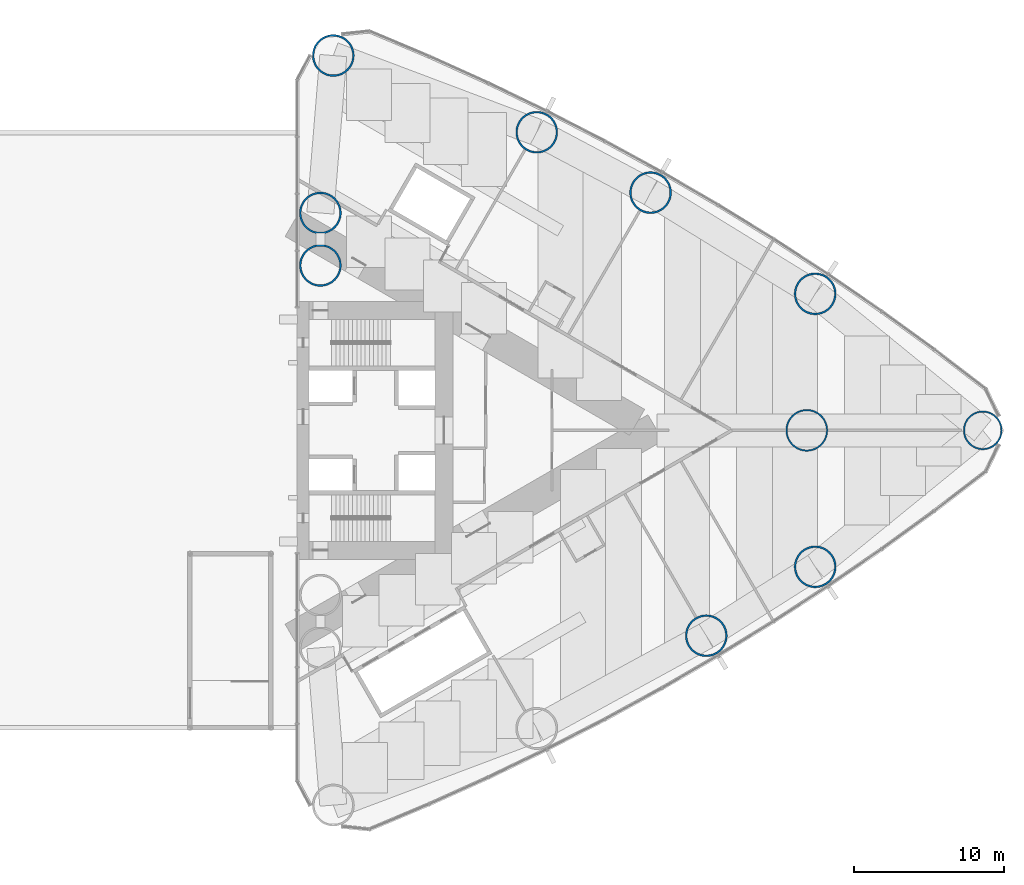
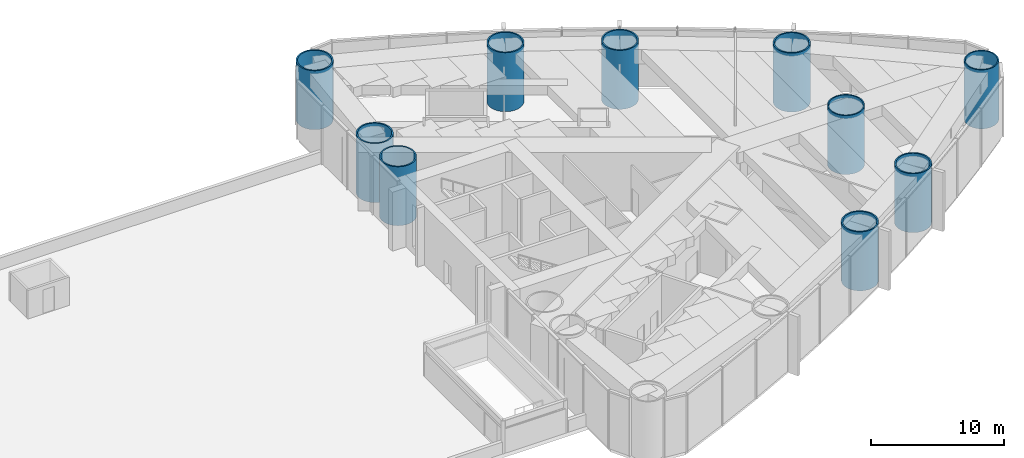
# One storey, part 5 of 23: 10 columns.
"""IFC4 building model written with IfcOpenShell, lengths in metres."""

from ifc_helpers import new_model, si_unit, direction, frame, origin, origin_2d, place, context, subcontext, project, spatial, hollow_circle, extrude, material, material_profile, profile_set, type_object, element, save


model = new_model("IFC4")

# Units and contexts
model_context = context("Model", 3, precision=1e-05, world=origin(), true_north=direction((0.0, 1.0)))
body_context = subcontext(model_context, "Body", "Model", "MODEL_VIEW")
ifc_project = project(units=[si_unit("LENGTHUNIT", "METRE"), si_unit("AREAUNIT", "SQUARE_METRE"), si_unit("VOLUMEUNIT", "CUBIC_METRE"), si_unit("PLANEANGLEUNIT", "RADIAN"), si_unit("MASSUNIT", "GRAM", prefix="KILO")], contexts=[model_context])

# Site, building, storey
site_placement = place(None, origin())
site = spatial("IfcSite", under=ifc_project, at=site_placement, CompositionType="ELEMENT")
building_placement = place(site_placement, origin())
building = spatial("IfcBuilding", under=site, at=building_placement, Name="Lancet Gate Hotel", CompositionType="ELEMENT")
storey_placement = place(building_placement, frame((0.0, 0.0, 12.60009765625)))
storey = spatial("IfcBuildingStorey", under=building, at=storey_placement, Name="L02", CompositionType="ELEMENT", Elevation=12.60009765625)

# Columns
ifc_material_1 = material(Name="Composite filled tube, grade 460 plate, grade 80/95 fill", Category="composite")
ifc_material_profile_1 = material_profile(ifc_material_1, hollow_circle(Radius=1.39990234375, WallThickness=0.10009765625, at=origin_2d()), Name="CHS 2800x100")
ifc_profile_set_1 = profile_set([ifc_material_profile_1], Name="Composite filled tube, grade 460 plate, grade 80/95 fill")
column_type_1 = type_object("IfcColumnType", Name="Apex column CFT CHS 2800x100", PredefinedType="COLUMN", material=ifc_profile_set_1)
column_1_placement = place(storey_placement, frame((61.5, 0.0, 0.0), z_axis=(0.0, 0.0, 1.0), x_axis=(1.0, 0.0, 0.0)))
element("IfcColumn", 1, at=column_1_placement, inside=storey, type_object=column_type_1, Name="T2 column AX L02", PredefinedType="COLUMN", context=body_context, shape_type="SweptSolid", body=[
    extrude(hollow_circle(Radius=1.39990234375, WallThickness=0.10009765625, at=origin_2d()), origin(), (0.0, 0.0, 1.0), 5.39990234375),
])
ifc_material_2 = material(Name="Composite filled tube, grade 460 plate, grade 80/95 fill", Category="composite")
ifc_material_profile_2 = material_profile(ifc_material_2, hollow_circle(Radius=1.300048828125, WallThickness=0.10009765625, at=origin_2d()), Name="CHS 2600x100")
ifc_profile_set_2 = profile_set([ifc_material_profile_2], Name="Composite filled tube, grade 460 plate, grade 80/95 fill")
column_type_2 = type_object("IfcColumnType", Name="Apex corner column CFT CHS 2600x100", PredefinedType="COLUMN", material=ifc_profile_set_2)
column_2_placement = place(storey_placement, frame((73.2392578125, 0.0, 0.0), z_axis=(0.0, 0.0, 1.0), x_axis=(1.0, 0.0, 0.0)))
element("IfcColumn", 2, at=column_2_placement, inside=storey, type_object=column_type_2, Name="T2 column CA L02", PredefinedType="COLUMN", context=body_context, shape_type="SweptSolid", body=[
    extrude(hollow_circle(Radius=1.300048828125, WallThickness=0.10009765625, at=origin_2d()), origin(), (0.0, 0.0, 1.0), 5.39990234375),
])
ifc_material_3 = material(Name="Composite filled tube, grade 460 plate, grade 80/95 fill", Category="composite")
ifc_material_profile_3 = material_profile(ifc_material_3, hollow_circle(Radius=1.39990234375, WallThickness=0.1201171875, at=origin_2d()), Name="CHS 2800x120")
ifc_profile_set_3 = profile_set([ifc_material_profile_3], Name="Composite filled tube, grade 460 plate, grade 80/95 fill")
column_type_3 = type_object("IfcColumnType", Name="Perimeter column CFT CHS 2800x120", PredefinedType="COLUMN", material=ifc_profile_set_3)
for number, where, z_axis, x_axis, name in (
    (3, (29.9111328125, 25.00244140625, 0.0), (0.0, 0.0, 1.0), (1.0, 0.0, 0.0), "T2 column CN L02"),
    (4, (29.050048828125, 11.0, 0.0), (0.0, 0.0, 1.0), (1.0, 0.0, 0.0), "T2 column IN L02"),
    (5, (29.050048828125, 14.5, 0.0), (0.0, 0.0, 1.0), (1.0, 0.0, 0.0), "T2 column JT L02"),
    (6, (62.059326171875, 9.10498046875, 0.0), (0.0, 0.0, 1.0), (1.0, 0.0, 0.0), "T2 column ON1 L02"),
    (7, (51.07763671875, 15.8583984375, 0.0), (0.0, 0.0, 1.0), (1.0, 0.0, 0.0), "T2 column ON2 L02"),
    (8, (43.484130859375, 19.886474609375, 0.0), (0.0, 0.0, 1.0), (1.0, 0.0, 0.0), "T2 column ON3 L02"),
    (9, (54.795166015625, -13.70068359375, 0.0), (0.0, 0.0, 1.0), (1.0, 0.0, 0.0), "T2 column OS2 L02"),
    (10, (62.059326171875, -9.10498046875, 0.0), (0.0, 0.0, 1.0), (1.0, 0.0, 0.0), "T2 column OS3 L02"),
):
    element("IfcColumn", number, at=place(storey_placement, frame(where, z_axis=z_axis, x_axis=x_axis)), inside=storey, type_object=column_type_3, Name=name, PredefinedType="COLUMN", context=body_context, shape_type="SweptSolid", body=[
        extrude(hollow_circle(Radius=1.39990234375, WallThickness=0.1201171875, at=origin_2d()), origin(), (0.0, 0.0, 1.0), 5.39990234375),
    ])

save(model, "model.ifc")
